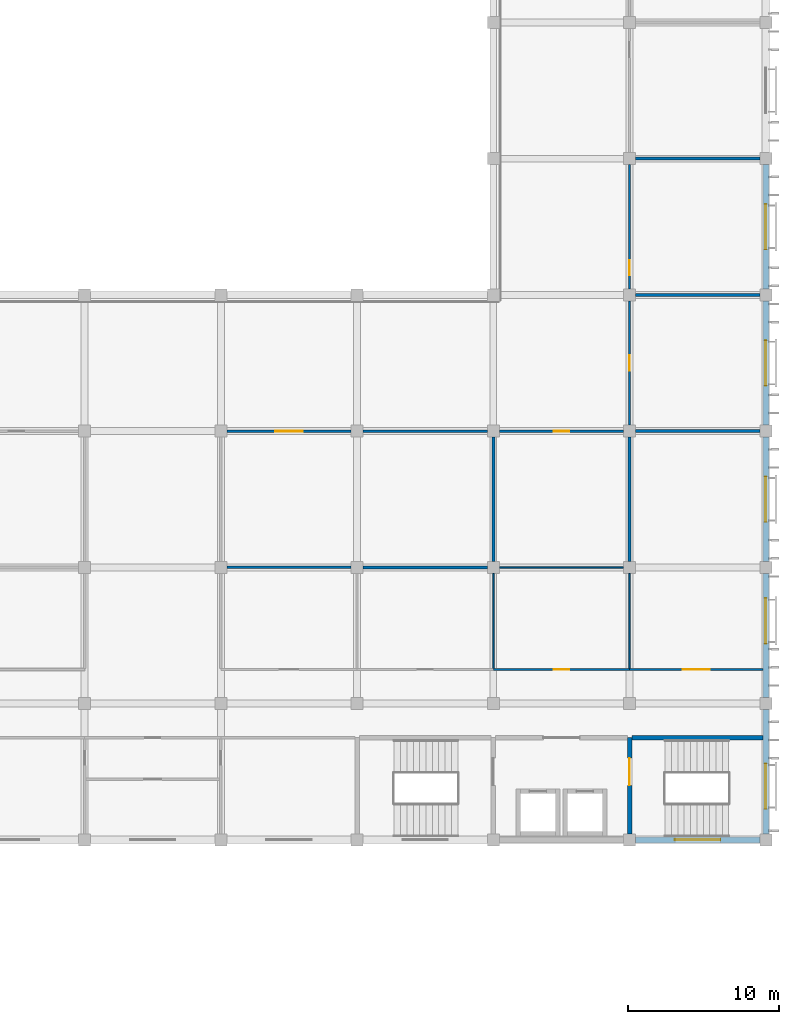
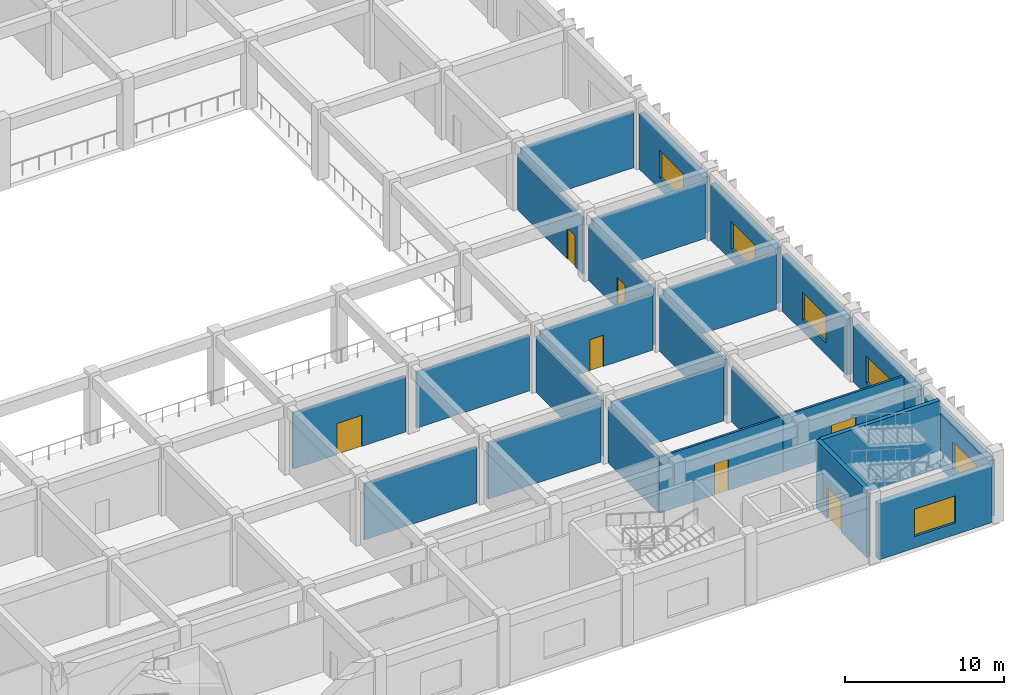
# One storey, part 278 of 437: 25 walls, 7 doors, 6 windows, 13 openings.
"""IFC4 building model written with IfcOpenShell, lengths in metres."""

from ifc_helpers import new_model, si_unit, direction, frame, frame_2d, origin, place, context, subcontext, project, spatial, rectangle, extrude, material, layer, layer_set, type_object, element, fill, save


model = new_model("IFC4")

# Units and contexts
model_context = context("Model", 3, precision=1e-05, world=origin(), true_north=direction((0.0, 1.0)))
body_context = subcontext(model_context, "Body", "Model", "MODEL_VIEW")
ifc_project = project(units=[si_unit("LENGTHUNIT", "METRE"), si_unit("AREAUNIT", "SQUARE_METRE"), si_unit("VOLUMEUNIT", "CUBIC_METRE"), si_unit("PLANEANGLEUNIT", "RADIAN"), si_unit("MASSUNIT", "GRAM", prefix="KILO")], contexts=[model_context])

# Site, building, storey
site_placement = place(None, origin())
site = spatial("IfcSite", under=ifc_project, at=site_placement, CompositionType="ELEMENT")
building_placement = place(site_placement, origin())
building = spatial("IfcBuilding", under=site, at=building_placement, Name="Opaline Strait Convention Centre", CompositionType="ELEMENT")
storey_placement = place(building_placement, frame((0.0, 0.0, 11.5)))
storey = spatial("IfcBuildingStorey", under=building, at=storey_placement, Name="L02", CompositionType="ELEMENT", Elevation=11.5)

# Walls
ifc_material_1 = material(Name="Gypsum board")
ifc_layer_1 = layer(ifc_material_1, 0.050048828125)
ifc_material_2 = material(Name="Steel stud and mineral wool", Category="steel")
ifc_layer_2 = layer(ifc_material_2, 0.10009765625)
ifc_layer_3 = layer(ifc_material_1, 0.050048828125)
ifc_layer_set_1 = layer_set([ifc_layer_1, ifc_layer_2, ifc_layer_3], Name="Gypsum board, Steel stud and mineral wool, Gypsum board")
wall_type_1 = type_object("IfcWallType", Name="Acoustic partition 200 EI45", PredefinedType="PARTITIONING", material=ifc_layer_set_1)
for number, where, z_axis, x_axis, name in (
    (1, (333.39990234375, 108.0, 0.0), (0.0, 0.0, 1.0), (1.0, 0.0, 0.0), "MPW5 partition Breakout Room 2.13 N"),
    (2, (342.0, 108.39990234375, 0.0), (0.0, 0.0, 1.0), (0.0, 1.0, 0.0), "MPW5 partition Meeting Room 2.17 E"),
    (3, (351.0, 108.39990234375, 0.0), (0.0, 0.0, 1.0), (0.0, 1.0, 0.0), "MPW5 partition Seminar Room 2.18 E"),
    (4, (351.39990234375, 117.0, 0.0), (0.0, 0.0, 1.0), (1.0, 0.0, 0.0), "MPW5 partition Boardroom 2.23 S"),
    (5, (351.39990234375, 126.0, 0.0), (0.0, 0.0, 1.0), (1.0, 0.0, 0.0), "MPW5 partition Boardroom 2.23 N"),
    (6, (351.39990234375, 135.0, 0.0), (0.0, 0.0, 1.0), (1.0, 0.0, 0.0), "MPW5 partition Meeting Room 2.24 N"),
):
    element("IfcWall", number, at=place(storey_placement, frame(where, z_axis=z_axis, x_axis=x_axis)), inside=storey, type_object=wall_type_1, Name=name, PredefinedType="PARTITIONING", context=body_context, shape_type="SweptSolid", body=[
        extrude(rectangle(XDim=8.2001953125, YDim=0.199951171875, at=frame_2d((4.10009765625, 0.0))), origin(), (0.0, 0.0, 1.0), 4.320068359375),
    ])

# Wall, opening, door
ifc_layer_4 = layer(ifc_material_1, 0.032470703125)
ifc_layer_5 = layer(ifc_material_2, 0.0849609375)
ifc_layer_6 = layer(ifc_material_1, 0.032470703125)
ifc_layer_set_2 = layer_set([ifc_layer_4, ifc_layer_5, ifc_layer_6], Name="Gypsum board, Steel stud and mineral wool, Gypsum board")
wall_type_2 = type_object("IfcWallType", Name="Corridor partition 150 EI60", PredefinedType="PARTITIONING", material=ifc_layer_set_2)
wall_1_placement = place(storey_placement, frame((342.0, 101.25, 0.0), z_axis=(0.0, 0.0, 1.0), x_axis=(1.0, 0.0, 0.0)))
wall_1 = element("IfcWall", 7, at=wall_1_placement, inside=storey, type_object=wall_type_2, Name="MPW1 partition Chair Store 2.14 S", PredefinedType="PARTITIONING", context=body_context, shape_type="SweptSolid", body=[
    extrude(rectangle(XDim=9.0, YDim=0.14990234375, at=frame_2d((4.5, 0.0))), origin(), (0.0, 0.0, 1.0), 4.320068359375),
])
opening_1_placement = place(wall_1_placement, frame((4.0, 0.0, 0.0)))
opening_1 = element("IfcOpeningElement", 8, at=opening_1_placement, cuts=wall_1, Name="Opening M2-034", PredefinedType="OPENING", context=body_context, shape_type="SweptSolid", body=[
    extrude(rectangle(XDim=1.0, YDim=2.39990234375, at=frame_2d((0.5, 1.199951171875))), frame((0.0, 0.0849609375, 0.0), z_axis=(0.0, -1.0, 0.0), x_axis=(1.0, 0.0, 0.0)), (0.0, 0.0, 1.0), 0.169921875),
])
ifc_material_3 = material(Name="Solid-core timber leaf, steel frame door set", Category="steel")
door_type_1 = type_object("IfcDoorType", Name="Meeting room door FD30 1000 x 2400", OperationType="SINGLE_SWING_LEFT", PredefinedType="DOOR", material=ifc_material_3)
door_1_placement = place(opening_1_placement, frame((1.0, 0.0, 0.0), z_axis=(0.0, 0.0, 1.0), x_axis=(-1.0, 0.0, 0.0)))
door_1 = element("IfcDoor", 9, at=door_1_placement, inside=storey, type_object=door_type_1, Name="Door Chair Store 2.14", ObjectType="MD8", OperationType="SINGLE_SWING_LEFT", OverallHeight=2.39990234375, OverallWidth=1.0, PredefinedType="DOOR", context=body_context, shape_type="SweptSolid", body=[
    extrude(rectangle(XDim=1.0, YDim=2.39990234375, at=frame_2d((0.5, 1.199951171875))), frame((0.0, 0.02490234375, 0.0), z_axis=(0.0, -1.0, 0.0), x_axis=(1.0, 0.0, 0.0)), (0.0, 0.0, 1.0), 0.050048828125),
])
fill(opening_1, door_1)

wall_2_placement = place(storey_placement, frame((324.39990234375, 117.0, 0.0), z_axis=(0.0, 0.0, 1.0), x_axis=(1.0, 0.0, 0.0)))
wall_2 = element("IfcWall", 10, at=wall_2_placement, inside=storey, type_object=wall_type_2, Name="MPW1 partition Meeting Room 2.17 N", PredefinedType="PARTITIONING", context=body_context, shape_type="SweptSolid", body=[
    extrude(rectangle(XDim=8.2001953125, YDim=0.14990234375, at=frame_2d((4.10009765625, 0.0))), origin(), (0.0, 0.0, 1.0), 4.320068359375),
])
opening_2_placement = place(wall_2_placement, frame((3.2001953125, 0.0, 0.0)))
opening_2 = element("IfcOpeningElement", 11, at=opening_2_placement, cuts=wall_2, Name="Opening M2-037", PredefinedType="OPENING", context=body_context, shape_type="SweptSolid", body=[
    extrude(rectangle(XDim=1.800048828125, YDim=2.39990234375, at=frame_2d((0.89990234375, 1.199951171875))), frame((0.0, 0.0849609375, 0.0), z_axis=(0.0, -1.0, 0.0), x_axis=(1.0, 0.0, 0.0)), (0.0, 0.0, 1.0), 0.169921875),
])
door_type_2 = type_object("IfcDoorType", Name="Meeting room double door FD30 1800 x 2400", OperationType="DOUBLE_DOOR_SINGLE_SWING", PredefinedType="DOOR", material=ifc_material_3)
door_2_placement = place(opening_2_placement, origin())
door_2 = element("IfcDoor", 12, at=door_2_placement, inside=storey, type_object=door_type_2, Name="Door Meeting Room 2.17", ObjectType="MD7", OperationType="DOUBLE_DOOR_SINGLE_SWING", OverallHeight=2.39990234375, OverallWidth=1.800048828125, PredefinedType="DOOR", context=body_context, shape_type="SweptSolid", body=[
    extrude(rectangle(XDim=1.800048828125, YDim=2.39990234375, at=frame_2d((0.89990234375, 1.199951171875))), frame((0.0, 0.02490234375, 0.0), z_axis=(0.0, -1.0, 0.0), x_axis=(1.0, 0.0, 0.0)), (0.0, 0.0, 1.0), 0.050048828125),
])
fill(opening_2, door_2)

# Wall
wall_3_placement = place(storey_placement, frame((333.39990234375, 117.0, 0.0), z_axis=(0.0, 0.0, 1.0), x_axis=(1.0, 0.0, 0.0)))
element("IfcWall", 13, at=wall_3_placement, inside=storey, type_object=wall_type_2, Name="MPW1 partition Meeting Room 2.17 N", PredefinedType="PARTITIONING", context=body_context, shape_type="SweptSolid", body=[
    extrude(rectangle(XDim=8.2001953125, YDim=0.14990234375, at=frame_2d((4.10009765625, 0.0))), origin(), (0.0, 0.0, 1.0), 4.320068359375),
])

# Wall, opening, door
wall_4_placement = place(storey_placement, frame((342.39990234375, 117.0, 0.0), z_axis=(0.0, 0.0, 1.0), x_axis=(1.0, 0.0, 0.0)))
wall_4 = element("IfcWall", 14, at=wall_4_placement, inside=storey, type_object=wall_type_2, Name="MPW1 partition Seminar Room 2.18 N", PredefinedType="PARTITIONING", context=body_context, shape_type="SweptSolid", body=[
    extrude(rectangle(XDim=8.2001953125, YDim=0.14990234375, at=frame_2d((4.10009765625, 0.0))), origin(), (0.0, 0.0, 1.0), 4.320068359375),
])
opening_3_placement = place(wall_4_placement, frame((3.60009765625, 0.0, 0.0)))
opening_3 = element("IfcOpeningElement", 15, at=opening_3_placement, cuts=wall_4, Name="Opening M2-038", PredefinedType="OPENING", context=body_context, shape_type="SweptSolid", body=[
    extrude(rectangle(XDim=1.0, YDim=2.39990234375, at=frame_2d((0.5, 1.199951171875))), frame((0.0, 0.0849609375, 0.0), z_axis=(0.0, -1.0, 0.0), x_axis=(1.0, 0.0, 0.0)), (0.0, 0.0, 1.0), 0.169921875),
])
door_3_placement = place(opening_3_placement, origin())
door_3 = element("IfcDoor", 16, at=door_3_placement, inside=storey, type_object=door_type_1, Name="Door Seminar Room 2.18", ObjectType="MD8", OperationType="SINGLE_SWING_LEFT", OverallHeight=2.39990234375, OverallWidth=1.0, PredefinedType="DOOR", context=body_context, shape_type="SweptSolid", body=[
    extrude(rectangle(XDim=1.0, YDim=2.39990234375, at=frame_2d((0.5, 1.199951171875))), frame((0.0, 0.02490234375, 0.0), z_axis=(0.0, -1.0, 0.0), x_axis=(1.0, 0.0, 0.0)), (0.0, 0.0, 1.0), 0.050048828125),
])
fill(opening_3, door_3)

wall_5_placement = place(storey_placement, frame((351.0, 117.39990234375, 0.0), z_axis=(0.0, 0.0, 1.0), x_axis=(0.0, 1.0, 0.0)))
wall_5 = element("IfcWall", 17, at=wall_5_placement, inside=storey, type_object=wall_type_2, Name="MPW1 partition Boardroom 2.23 W", PredefinedType="PARTITIONING", context=body_context, shape_type="SweptSolid", body=[
    extrude(rectangle(XDim=8.2001953125, YDim=0.14990234375, at=frame_2d((4.10009765625, 0.0))), origin(), (0.0, 0.0, 1.0), 4.320068359375),
])
opening_4_placement = place(wall_5_placement, frame((3.60009765625, 0.0, 0.0)))
opening_4 = element("IfcOpeningElement", 18, at=opening_4_placement, cuts=wall_5, Name="Opening M2-043", PredefinedType="OPENING", context=body_context, shape_type="SweptSolid", body=[
    extrude(rectangle(XDim=1.0, YDim=2.39990234375, at=frame_2d((0.5, 1.199951171875))), frame((0.0, 0.0849609375, 0.0), z_axis=(0.0, -1.0, 0.0), x_axis=(1.0, 0.0, 0.0)), (0.0, 0.0, 1.0), 0.169921875),
])
door_4_placement = place(opening_4_placement, origin())
door_4 = element("IfcDoor", 19, at=door_4_placement, inside=storey, type_object=door_type_1, Name="Door Boardroom 2.23", ObjectType="MD8", OperationType="SINGLE_SWING_LEFT", OverallHeight=2.39990234375, OverallWidth=1.0, PredefinedType="DOOR", context=body_context, shape_type="SweptSolid", body=[
    extrude(rectangle(XDim=1.0, YDim=2.39990234375, at=frame_2d((0.5, 1.199951171875))), frame((0.0, 0.02490234375, 0.0), z_axis=(0.0, -1.0, 0.0), x_axis=(1.0, 0.0, 0.0)), (0.0, 0.0, 1.0), 0.050048828125),
])
fill(opening_4, door_4)

wall_6_placement = place(storey_placement, frame((351.0, 126.39990234375, 0.0), z_axis=(0.0, 0.0, 1.0), x_axis=(0.0, 1.0, 0.0)))
wall_6 = element("IfcWall", 20, at=wall_6_placement, inside=storey, type_object=wall_type_2, Name="MPW1 partition Meeting Room 2.24 W", PredefinedType="PARTITIONING", context=body_context, shape_type="SweptSolid", body=[
    extrude(rectangle(XDim=8.2001953125, YDim=0.14990234375, at=frame_2d((4.10009765625, 0.0))), origin(), (0.0, 0.0, 1.0), 4.320068359375),
])
opening_5_placement = place(wall_6_placement, frame((0.89990234375, 0.0, 0.0)))
opening_5 = element("IfcOpeningElement", 21, at=opening_5_placement, cuts=wall_6, Name="Opening M2-044", PredefinedType="OPENING", context=body_context, shape_type="SweptSolid", body=[
    extrude(rectangle(XDim=1.0, YDim=2.39990234375, at=frame_2d((0.5, 1.199951171875))), frame((0.0, 0.0849609375, 0.0), z_axis=(0.0, -1.0, 0.0), x_axis=(1.0, 0.0, 0.0)), (0.0, 0.0, 1.0), 0.169921875),
])
door_5_placement = place(opening_5_placement, origin())
door_5 = element("IfcDoor", 22, at=door_5_placement, inside=storey, type_object=door_type_1, Name="Door Meeting Room 2.24", ObjectType="MD8", OperationType="SINGLE_SWING_LEFT", OverallHeight=2.39990234375, OverallWidth=1.0, PredefinedType="DOOR", context=body_context, shape_type="SweptSolid", body=[
    extrude(rectangle(XDim=1.0, YDim=2.39990234375, at=frame_2d((0.5, 1.199951171875))), frame((0.0, 0.02490234375, 0.0), z_axis=(0.0, -1.0, 0.0), x_axis=(1.0, 0.0, 0.0)), (0.0, 0.0, 1.0), 0.050048828125),
])
fill(opening_5, door_5)

wall_7_placement = place(storey_placement, frame((351.0, 101.25, 0.0), z_axis=(0.0, 0.0, 1.0), x_axis=(1.0, 0.0, 0.0)))
wall_7 = element("IfcWall", 23, at=wall_7_placement, inside=storey, type_object=wall_type_2, Name="MPW1 partition VIP Suite 2.27 S", PredefinedType="PARTITIONING", context=body_context, shape_type="SweptSolid", body=[
    extrude(rectangle(XDim=8.800048828125, YDim=0.14990234375, at=frame_2d((4.39990234375, 0.0))), origin(), (0.0, 0.0, 1.0), 4.320068359375),
])
opening_6_placement = place(wall_7_placement, frame((3.5, 0.0, 0.0)))
opening_6 = element("IfcOpeningElement", 24, at=opening_6_placement, cuts=wall_7, Name="Opening M2-047", PredefinedType="OPENING", context=body_context, shape_type="SweptSolid", body=[
    extrude(rectangle(XDim=1.800048828125, YDim=2.39990234375, at=frame_2d((0.89990234375, 1.199951171875))), frame((0.0, 0.0849609375, 0.0), z_axis=(0.0, -1.0, 0.0), x_axis=(1.0, 0.0, 0.0)), (0.0, 0.0, 1.0), 0.169921875),
])
door_6_placement = place(opening_6_placement, frame((1.800048828125, 0.0, 0.0), z_axis=(0.0, 0.0, 1.0), x_axis=(-1.0, 0.0, 0.0)))
door_6 = element("IfcDoor", 25, at=door_6_placement, inside=storey, type_object=door_type_2, Name="Door VIP Suite 2.27", ObjectType="MD7", OperationType="DOUBLE_DOOR_SINGLE_SWING", OverallHeight=2.39990234375, OverallWidth=1.800048828125, PredefinedType="DOOR", context=body_context, shape_type="SweptSolid", body=[
    extrude(rectangle(XDim=1.800048828125, YDim=2.39990234375, at=frame_2d((0.89990234375, 1.199951171875))), frame((0.0, 0.02490234375, 0.0), z_axis=(0.0, -1.0, 0.0), x_axis=(1.0, 0.0, 0.0)), (0.0, 0.0, 1.0), 0.050048828125),
])
fill(opening_6, door_6)

# Wall, opening, window
ifc_material_4 = material(Name="Concrete C40 precast", Category="concrete")
ifc_layer_7 = layer(ifc_material_4, 0.10009765625)
ifc_material_5 = material(Name="Mineral wool insulation")
ifc_layer_8 = layer(ifc_material_5, 0.14990234375)
ifc_layer_9 = layer(ifc_material_4, 0.14990234375)
ifc_layer_set_3 = layer_set([ifc_layer_7, ifc_layer_8, ifc_layer_9], Name="Concrete C40 precast, Mineral wool insulation, Concrete C40 precast")
wall_type_3 = type_object("IfcWallType", Name="External wall 400 insulated precast EI60", PredefinedType="STANDARD", material=ifc_layer_set_3)
wall_8_placement = place(storey_placement, frame((351.39990234375, 90.0, 0.0), z_axis=(0.0, 0.0, 1.0), x_axis=(1.0, 0.0, 0.0)))
wall_8 = element("IfcWall", 26, at=wall_8_placement, inside=storey, type_object=wall_type_3, Name="External wall S L02 40/L", PredefinedType="STANDARD", context=body_context, shape_type="SweptSolid", body=[
    extrude(rectangle(XDim=8.2001953125, YDim=0.39990234375, at=frame_2d((4.10009765625, 0.0))), origin(), (0.0, 0.0, 1.0), 4.320068359375),
])
opening_7_placement = place(wall_8_placement, frame((2.60009765625, 0.0, 0.89990234375)))
opening_7 = element("IfcOpeningElement", 27, at=opening_7_placement, cuts=wall_8, Name="Opening MW2", PredefinedType="OPENING", context=body_context, shape_type="SweptSolid", body=[
    extrude(rectangle(XDim=3.0, YDim=2.10009765625, at=frame_2d((1.5, 1.050048828125))), frame((0.0, 0.2099609375, 0.0), z_axis=(0.0, -1.0, 0.0), x_axis=(1.0, 0.0, 0.0)), (0.0, 0.0, 1.0), 0.419921875),
])
ifc_material_6 = material(Name="Aluminium framed double glazing", Category="aluminium")
window_type = type_object("IfcWindowType", Name="Window 3000 x 2100", PartitioningType="TRIPLE_PANEL_VERTICAL", PredefinedType="WINDOW", material=ifc_material_6)
window_1_placement = place(opening_7_placement, origin())
window_1 = element("IfcWindow", 28, at=window_1_placement, inside=storey, type_object=window_type, Name="Window Escape Stair S3 S", OverallHeight=2.10009765625, OverallWidth=3.0, PartitioningType="TRIPLE_PANEL_VERTICAL", PredefinedType="WINDOW", context=body_context, shape_type="SweptSolid", body=[
    extrude(rectangle(XDim=3.0, YDim=2.10009765625, at=frame_2d((1.5, 1.050048828125))), frame((0.0, 0.030029296875, 0.0), z_axis=(0.0, -1.0, 0.0), x_axis=(1.0, 0.0, 0.0)), (0.0, 0.0, 1.0), 0.06005859375),
])
fill(opening_7, window_1)

wall_9_placement = place(storey_placement, frame((360.0, 90.39990234375, 0.0), z_axis=(0.0, 0.0, 1.0), x_axis=(0.0, 1.0, 0.0)))
wall_9 = element("IfcWall", 29, at=wall_9_placement, inside=storey, type_object=wall_type_3, Name="External wall E L02 41/L", PredefinedType="STANDARD", context=body_context, shape_type="SweptSolid", body=[
    extrude(rectangle(XDim=8.2001953125, YDim=0.39990234375, at=frame_2d((4.10009765625, 0.0))), origin(), (0.0, 0.0, 1.0), 4.320068359375),
])
opening_8_placement = place(wall_9_placement, frame((1.6376953125, 0.0, 0.89990234375)))
opening_8 = element("IfcOpeningElement", 30, at=opening_8_placement, cuts=wall_9, Name="Opening MW2", PredefinedType="OPENING", context=body_context, shape_type="SweptSolid", body=[
    extrude(rectangle(XDim=3.0, YDim=2.10009765625, at=frame_2d((1.5, 1.050048828125))), frame((0.0, 0.2099609375, 0.0), z_axis=(0.0, -1.0, 0.0), x_axis=(1.0, 0.0, 0.0)), (0.0, 0.0, 1.0), 0.419921875),
])
window_2_placement = place(opening_8_placement, origin())
window_2 = element("IfcWindow", 31, at=window_2_placement, inside=storey, type_object=window_type, Name="Window Escape Stair S3 E", OverallHeight=2.10009765625, OverallWidth=3.0, PartitioningType="TRIPLE_PANEL_VERTICAL", PredefinedType="WINDOW", context=body_context, shape_type="SweptSolid", body=[
    extrude(rectangle(XDim=3.0, YDim=2.10009765625, at=frame_2d((1.5, 1.050048828125))), frame((0.0, 0.030029296875, 0.0), z_axis=(0.0, -1.0, 0.0), x_axis=(1.0, 0.0, 0.0)), (0.0, 0.0, 1.0), 0.06005859375),
])
fill(opening_8, window_2)

wall_10_placement = place(storey_placement, frame((360.0, 99.39990234375, 0.0), z_axis=(0.0, 0.0, 1.0), x_axis=(0.0, 1.0, 0.0)))
wall_10 = element("IfcWall", 32, at=wall_10_placement, inside=storey, type_object=wall_type_3, Name="External wall E L02 41/M", PredefinedType="STANDARD", context=body_context, shape_type="SweptSolid", body=[
    extrude(rectangle(XDim=8.2001953125, YDim=0.39990234375, at=frame_2d((4.10009765625, 0.0))), origin(), (0.0, 0.0, 1.0), 4.320068359375),
])
opening_9_placement = place(wall_10_placement, frame((3.5625, 0.0, 0.89990234375)))
opening_9 = element("IfcOpeningElement", 33, at=opening_9_placement, cuts=wall_10, Name="Opening MW2", PredefinedType="OPENING", context=body_context, shape_type="SweptSolid", body=[
    extrude(rectangle(XDim=3.0, YDim=2.10009765625, at=frame_2d((1.5, 1.050048828125))), frame((0.0, 0.2099609375, 0.0), z_axis=(0.0, -1.0, 0.0), x_axis=(1.0, 0.0, 0.0)), (0.0, 0.0, 1.0), 0.419921875),
])
window_3_placement = place(opening_9_placement, origin())
window_3 = element("IfcWindow", 34, at=window_3_placement, inside=storey, type_object=window_type, Name="Window VIP Suite 2.27 E", OverallHeight=2.10009765625, OverallWidth=3.0, PartitioningType="TRIPLE_PANEL_VERTICAL", PredefinedType="WINDOW", context=body_context, shape_type="SweptSolid", body=[
    extrude(rectangle(XDim=3.0, YDim=2.10009765625, at=frame_2d((1.5, 1.050048828125))), frame((0.0, 0.030029296875, 0.0), z_axis=(0.0, -1.0, 0.0), x_axis=(1.0, 0.0, 0.0)), (0.0, 0.0, 1.0), 0.06005859375),
])
fill(opening_9, window_3)

wall_11_placement = place(storey_placement, frame((360.0, 108.39990234375, 0.0), z_axis=(0.0, 0.0, 1.0), x_axis=(0.0, 1.0, 0.0)))
wall_11 = element("IfcWall", 35, at=wall_11_placement, inside=storey, type_object=wall_type_3, Name="External wall E L02 41/N", PredefinedType="STANDARD", context=body_context, shape_type="SweptSolid", body=[
    extrude(rectangle(XDim=8.2001953125, YDim=0.39990234375, at=frame_2d((4.10009765625, 0.0))), origin(), (0.0, 0.0, 1.0), 4.320068359375),
])
opening_10_placement = place(wall_11_placement, frame((2.60009765625, 0.0, 0.89990234375)))
opening_10 = element("IfcOpeningElement", 36, at=opening_10_placement, cuts=wall_11, Name="Opening MW2", PredefinedType="OPENING", context=body_context, shape_type="SweptSolid", body=[
    extrude(rectangle(XDim=3.0, YDim=2.10009765625, at=frame_2d((1.5, 1.050048828125))), frame((0.0, 0.2099609375, 0.0), z_axis=(0.0, -1.0, 0.0), x_axis=(1.0, 0.0, 0.0)), (0.0, 0.0, 1.0), 0.419921875),
])
window_4_placement = place(opening_10_placement, origin())
window_4 = element("IfcWindow", 37, at=window_4_placement, inside=storey, type_object=window_type, Name="Window VIP Suite 2.27 E", OverallHeight=2.10009765625, OverallWidth=3.0, PartitioningType="TRIPLE_PANEL_VERTICAL", PredefinedType="WINDOW", context=body_context, shape_type="SweptSolid", body=[
    extrude(rectangle(XDim=3.0, YDim=2.10009765625, at=frame_2d((1.5, 1.050048828125))), frame((0.0, 0.030029296875, 0.0), z_axis=(0.0, -1.0, 0.0), x_axis=(1.0, 0.0, 0.0)), (0.0, 0.0, 1.0), 0.06005859375),
])
fill(opening_10, window_4)

wall_12_placement = place(storey_placement, frame((360.0, 117.39990234375, 0.0), z_axis=(0.0, 0.0, 1.0), x_axis=(0.0, 1.0, 0.0)))
wall_12 = element("IfcWall", 38, at=wall_12_placement, inside=storey, type_object=wall_type_3, Name="External wall E L02 41/P", PredefinedType="STANDARD", context=body_context, shape_type="SweptSolid", body=[
    extrude(rectangle(XDim=8.2001953125, YDim=0.39990234375, at=frame_2d((4.10009765625, 0.0))), origin(), (0.0, 0.0, 1.0), 4.320068359375),
])
opening_11_placement = place(wall_12_placement, frame((2.60009765625, 0.0, 0.89990234375)))
opening_11 = element("IfcOpeningElement", 39, at=opening_11_placement, cuts=wall_12, Name="Opening MW2", PredefinedType="OPENING", context=body_context, shape_type="SweptSolid", body=[
    extrude(rectangle(XDim=3.0, YDim=2.10009765625, at=frame_2d((1.5, 1.050048828125))), frame((0.0, 0.2099609375, 0.0), z_axis=(0.0, -1.0, 0.0), x_axis=(1.0, 0.0, 0.0)), (0.0, 0.0, 1.0), 0.419921875),
])
window_5_placement = place(opening_11_placement, origin())
window_5 = element("IfcWindow", 40, at=window_5_placement, inside=storey, type_object=window_type, Name="Window Boardroom 2.23 E", OverallHeight=2.10009765625, OverallWidth=3.0, PartitioningType="TRIPLE_PANEL_VERTICAL", PredefinedType="WINDOW", context=body_context, shape_type="SweptSolid", body=[
    extrude(rectangle(XDim=3.0, YDim=2.10009765625, at=frame_2d((1.5, 1.050048828125))), frame((0.0, 0.030029296875, 0.0), z_axis=(0.0, -1.0, 0.0), x_axis=(1.0, 0.0, 0.0)), (0.0, 0.0, 1.0), 0.06005859375),
])
fill(opening_11, window_5)

wall_13_placement = place(storey_placement, frame((360.0, 126.39990234375, 0.0), z_axis=(0.0, 0.0, 1.0), x_axis=(0.0, 1.0, 0.0)))
wall_13 = element("IfcWall", 41, at=wall_13_placement, inside=storey, type_object=wall_type_3, Name="External wall E L02 41/Q", PredefinedType="STANDARD", context=body_context, shape_type="SweptSolid", body=[
    extrude(rectangle(XDim=8.2001953125, YDim=0.39990234375, at=frame_2d((4.10009765625, 0.0))), origin(), (0.0, 0.0, 1.0), 4.320068359375),
])
opening_12_placement = place(wall_13_placement, frame((2.60009765625, 0.0, 0.89990234375)))
opening_12 = element("IfcOpeningElement", 42, at=opening_12_placement, cuts=wall_13, Name="Opening MW2", PredefinedType="OPENING", context=body_context, shape_type="SweptSolid", body=[
    extrude(rectangle(XDim=3.0, YDim=2.10009765625, at=frame_2d((1.5, 1.050048828125))), frame((0.0, 0.2099609375, 0.0), z_axis=(0.0, -1.0, 0.0), x_axis=(1.0, 0.0, 0.0)), (0.0, 0.0, 1.0), 0.419921875),
])
window_6_placement = place(opening_12_placement, origin())
window_6 = element("IfcWindow", 43, at=window_6_placement, inside=storey, type_object=window_type, Name="Window Meeting Room 2.24 E", OverallHeight=2.10009765625, OverallWidth=3.0, PartitioningType="TRIPLE_PANEL_VERTICAL", PredefinedType="WINDOW", context=body_context, shape_type="SweptSolid", body=[
    extrude(rectangle(XDim=3.0, YDim=2.10009765625, at=frame_2d((1.5, 1.050048828125))), frame((0.0, 0.030029296875, 0.0), z_axis=(0.0, -1.0, 0.0), x_axis=(1.0, 0.0, 0.0)), (0.0, 0.0, 1.0), 0.06005859375),
])
fill(opening_12, window_6)

# Wall
ifc_layer_10 = layer(ifc_material_1, 0.032470703125)
ifc_layer_11 = layer(ifc_material_2, 0.0849609375)
ifc_layer_12 = layer(ifc_material_1, 0.032470703125)
ifc_layer_set_4 = layer_set([ifc_layer_10, ifc_layer_11, ifc_layer_12], Name="Gypsum board, Steel stud and mineral wool, Gypsum board")
wall_type_4 = type_object("IfcWallType", Name="Plant room partition 150 EI120", PredefinedType="PARTITIONING", material=ifc_layer_set_4)
wall_14_placement = place(storey_placement, frame((324.39990234375, 108.0, 0.0), z_axis=(0.0, 0.0, 1.0), x_axis=(1.0, 0.0, 0.0)))
element("IfcWall", 44, at=wall_14_placement, inside=storey, type_object=wall_type_4, Name="MPW3 partition Plant Room 2.12 N", PredefinedType="PARTITIONING", context=body_context, shape_type="SweptSolid", body=[
    extrude(rectangle(XDim=8.2001953125, YDim=0.14990234375, at=frame_2d((4.10009765625, 0.0))), origin(), (0.0, 0.0, 1.0), 4.320068359375),
])

# Wall, opening, door
ifc_material_7 = material(Name="Concrete C40", Category="concrete")
ifc_layer_13 = layer(ifc_material_7, 0.300048828125)
ifc_layer_set_5 = layer_set([ifc_layer_13], Name="Concrete C40")
wall_type_5 = type_object("IfcWallType", Name="RC core wall 300 C40", PredefinedType="SHEAR", material=ifc_layer_set_5)
wall_15_placement = place(storey_placement, frame((351.0, 90.39990234375, 0.0), z_axis=(0.0, 0.0, 1.0), x_axis=(0.0, 1.0, 0.0)))
wall_15 = element("IfcWall", 45, at=wall_15_placement, inside=storey, type_object=wall_type_5, Name="Core wall SE-L02", PredefinedType="SHEAR", context=body_context, shape_type="SweptSolid", body=[
    extrude(rectangle(XDim=6.35009765625, YDim=0.300048828125, at=frame_2d((3.175048828125, 0.0))), origin(), (0.0, 0.0, 1.0), 5.219970703125),
])
opening_13_placement = place(wall_15_placement, frame((3.2001953125, 0.0, 0.0)))
opening_13 = element("IfcOpeningElement", 46, at=opening_13_placement, cuts=wall_15, Name="Opening M2-006", PredefinedType="OPENING", context=body_context, shape_type="SweptSolid", body=[
    extrude(rectangle(XDim=1.800048828125, YDim=2.39990234375, at=frame_2d((0.89990234375, 1.199951171875))), frame((0.0, 0.159912109375, 0.0), z_axis=(0.0, -1.0, 0.0), x_axis=(1.0, 0.0, 0.0)), (0.0, 0.0, 1.0), 0.320068359375),
])
ifc_material_8 = material(Name="Steel Q235B", Category="steel")
door_type_3 = type_object("IfcDoorType", Name="Stair door FD60 1800 x 2400", OperationType="DOUBLE_DOOR_SINGLE_SWING", PredefinedType="DOOR", material=ifc_material_8)
door_7_placement = place(opening_13_placement, origin())
door_7 = element("IfcDoor", 47, at=door_7_placement, inside=storey, type_object=door_type_3, Name="Escape stair S3 door L02", ObjectType="MD4", OperationType="DOUBLE_DOOR_SINGLE_SWING", OverallHeight=2.39990234375, OverallWidth=1.800048828125, PredefinedType="DOOR", context=body_context, shape_type="SweptSolid", body=[
    extrude(rectangle(XDim=1.800048828125, YDim=2.39990234375, at=frame_2d((0.89990234375, 1.199951171875))), frame((0.0, 0.02490234375, 0.0), z_axis=(0.0, -1.0, 0.0), x_axis=(1.0, 0.0, 0.0)), (0.0, 0.0, 1.0), 0.050048828125),
])
fill(opening_13, door_7)

# Walls
wall_16_placement = place(storey_placement, frame((351.14990234375, 96.75, 0.0), z_axis=(0.0, 0.0, 1.0), x_axis=(1.0, 0.0, 0.0)))
element("IfcWall", 48, at=wall_16_placement, inside=storey, type_object=wall_type_5, Name="Core wall SE-L02", PredefinedType="SHEAR", context=body_context, shape_type="SweptSolid", body=[
    extrude(rectangle(XDim=8.650146484375, YDim=0.300048828125, at=frame_2d((4.3251953125, 0.0))), origin(), (0.0, 0.0, 1.0), 5.219970703125),
])
ifc_layer_14 = layer(ifc_material_1, 0.012451171875)
ifc_layer_15 = layer(ifc_material_2, 0.074951171875)
ifc_layer_16 = layer(ifc_material_1, 0.012451171875)
ifc_layer_set_6 = layer_set([ifc_layer_14, ifc_layer_15, ifc_layer_16], Name="Gypsum board, Steel stud and mineral wool, Gypsum board")
wall_type_6 = type_object("IfcWallType", Name="Room partition 100 EI45", PredefinedType="PARTITIONING", material=ifc_layer_set_6)
wall_17_placement = place(storey_placement, frame((342.0, 101.324951171875, 0.0), z_axis=(0.0, 0.0, 1.0), x_axis=(0.0, 1.0, 0.0)))
element("IfcWall", 49, at=wall_17_placement, inside=storey, type_object=wall_type_6, Name="MPW2 partition Breakout Room 2.13 E", PredefinedType="PARTITIONING", context=body_context, shape_type="SweptSolid", body=[
    extrude(rectangle(XDim=6.275146484375, YDim=0.10009765625, at=frame_2d((3.1376953125, 0.0))), origin(), (0.0, 0.0, 1.0), 4.320068359375),
])
wall_18_placement = place(storey_placement, frame((342.39990234375, 108.0, 0.0), z_axis=(0.0, 0.0, 1.0), x_axis=(1.0, 0.0, 0.0)))
element("IfcWall", 50, at=wall_18_placement, inside=storey, type_object=wall_type_6, Name="MPW2 partition Chair Store 2.14 N", PredefinedType="PARTITIONING", context=body_context, shape_type="SweptSolid", body=[
    extrude(rectangle(XDim=8.2001953125, YDim=0.10009765625, at=frame_2d((4.10009765625, 0.0))), origin(), (0.0, 0.0, 1.0), 4.320068359375),
])
wall_19_placement = place(storey_placement, frame((351.0, 101.324951171875, 0.0), z_axis=(0.0, 0.0, 1.0), x_axis=(0.0, 1.0, 0.0)))
element("IfcWall", 51, at=wall_19_placement, inside=storey, type_object=wall_type_6, Name="MPW2 partition Chair Store 2.14 E", PredefinedType="PARTITIONING", context=body_context, shape_type="SweptSolid", body=[
    extrude(rectangle(XDim=6.275146484375, YDim=0.10009765625, at=frame_2d((3.1376953125, 0.0))), origin(), (0.0, 0.0, 1.0), 4.320068359375),
])

save(model, "model.ifc")
